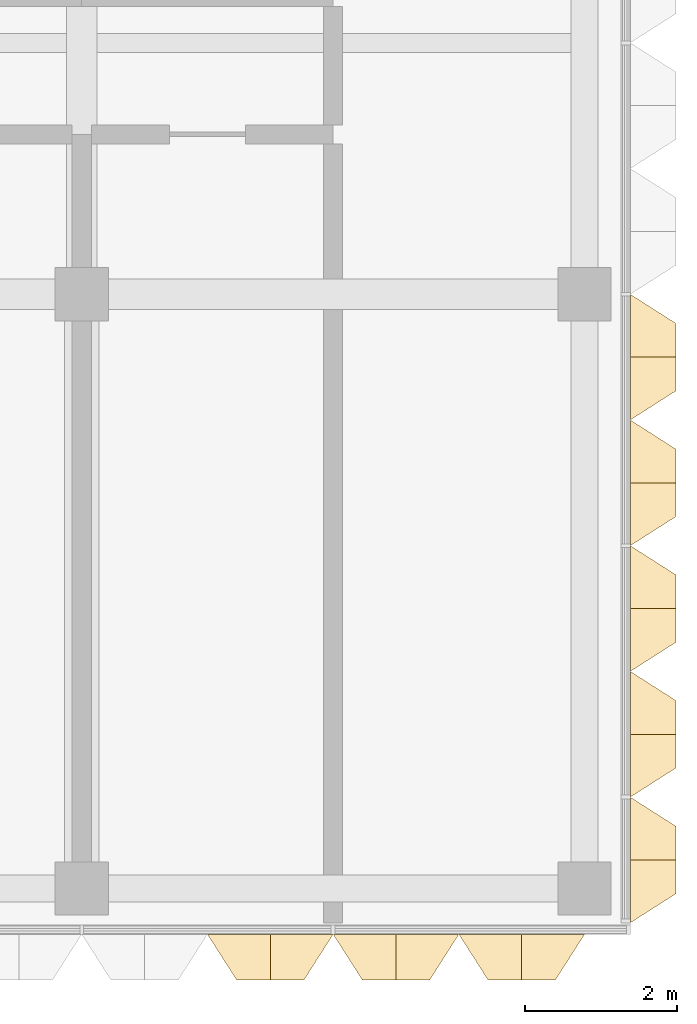
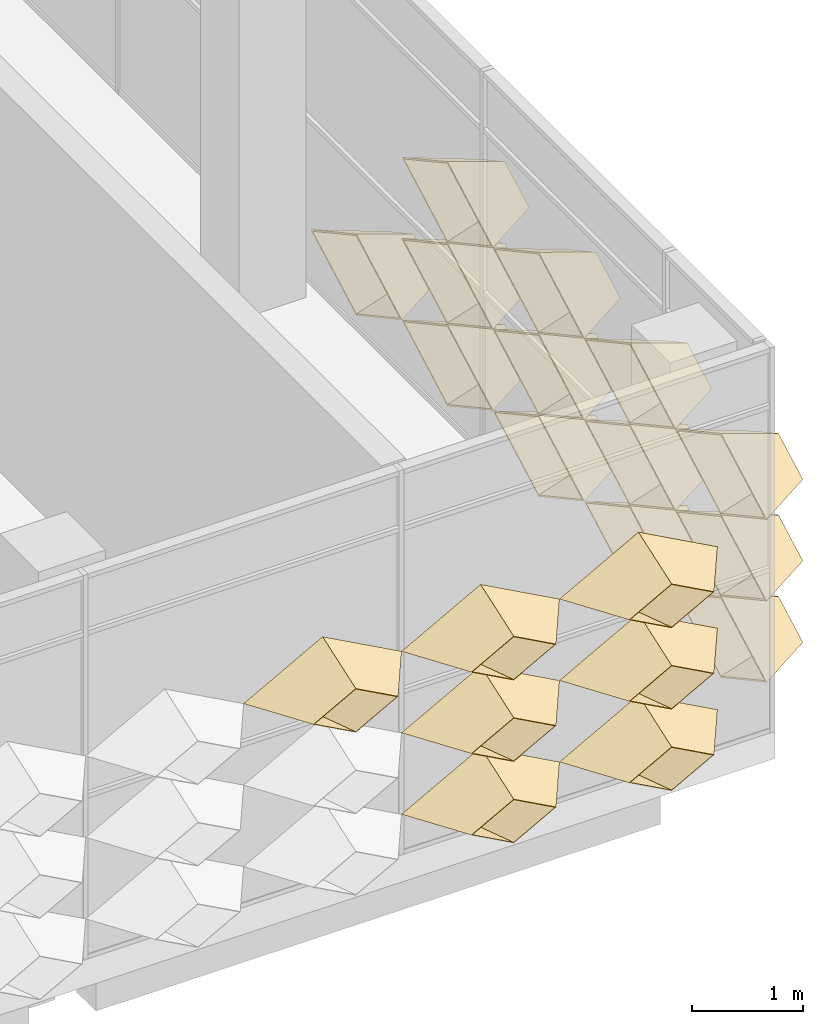
# One storey, part 14 of 21: 20 coverings.
"""IFC4 building model written with IfcOpenShell, lengths in metres."""

from ifc_helpers import new_model, entity, si_unit, direction, frame, origin, place, context, subcontext, project, spatial, material, layer, layer_set, type_object, element, save


model = new_model("IFC4")

# Units and contexts
model_context = context("Model", 3, precision=1e-05, world=origin(), true_north=direction((0.0, 1.0)))
body_context = subcontext(model_context, "Body", "Model", "MODEL_VIEW")
ifc_project = project(units=[si_unit("LENGTHUNIT", "METRE"), si_unit("AREAUNIT", "SQUARE_METRE"), si_unit("VOLUMEUNIT", "CUBIC_METRE"), si_unit("PLANEANGLEUNIT", "RADIAN"), si_unit("MASSUNIT", "GRAM", prefix="KILO")], contexts=[model_context])

# Site, building, storey
site_placement = place(None, origin())
site = spatial("IfcSite", under=ifc_project, at=site_placement, CompositionType="ELEMENT")
building_placement = place(site_placement, origin())
building = spatial("IfcBuilding", under=site, at=building_placement, Name="Lantern Court Research Institute", CompositionType="ELEMENT")
storey_placement = place(building_placement, frame((0.0, 0.0, 41.39990234375)))
storey = spatial("IfcBuildingStorey", under=building, at=storey_placement, Name="L09", CompositionType="ELEMENT", Elevation=41.39990234375)

# Coverings
ifc_material = material(Name="Anodised aluminium", Category="aluminium")
ifc_layer = layer(ifc_material, 0.01611328125)
ifc_layer_set = layer_set([ifc_layer], Name="Anodised aluminium")
covering_type = type_object("IfcCoveringType", Name="Fin cassette 1650 x 900 x 600 aluminium", PredefinedType="CLADDING", material=ifc_layer_set)
covering_1_placement = place(storey_placement, frame((79.800048828125, -7.425048828125, 0.4501953125), z_axis=(1.0, 0.0, 0.0), x_axis=(0.0, 1.0, 0.0)))
cartesian_point_1 = entity("IfcCartesianPoint", [0.824951171875, 0.0])
cartesian_point_2 = entity("IfcCartesianPoint", [0.79150390625, 0.0])
cartesian_point_3 = entity("IfcCartesianPoint", [0.44189453125, 0.0])
cartesian_point_4 = entity("IfcCartesianPoint", [0.43359375, 0.0])
element("IfcCovering", 1, at=covering_1_placement, inside=storey, type_object=covering_type, Name="Fin cassette V5E-L09 1.-4", PredefinedType="CLADDING", context=body_context, shape_type="SweptSolid", body=[
    entity("IfcExtrudedAreaSolidTapered", entity("IfcArbitraryProfileDefWithVoids", "AREA", None, entity("IfcPolyline", [cartesian_point_1, entity("IfcCartesianPoint", [0.0, 0.449951171875]), entity("IfcCartesianPoint", [-0.824951171875, 0.0]), entity("IfcCartesianPoint", [0.0, -0.449951171875]), cartesian_point_1]), [entity("IfcPolyline", [cartesian_point_2, entity("IfcCartesianPoint", [0.0, 0.431884765625]), entity("IfcCartesianPoint", [-0.79150390625, 0.0]), entity("IfcCartesianPoint", [0.0, -0.431884765625]), cartesian_point_2])]), entity("IfcAxis2Placement3D", entity("IfcCartesianPoint", [0.0, 0.0, 0.0])), entity("IfcDirection", [0.0, 0.0, 1.0]), 0.60009765625, entity("IfcArbitraryProfileDefWithVoids", "AREA", None, entity("IfcPolyline", [cartesian_point_3, entity("IfcCartesianPoint", [0.0, 0.240966796875]), entity("IfcCartesianPoint", [-0.44189453125, 0.0]), entity("IfcCartesianPoint", [0.0, -0.240966796875]), cartesian_point_3]), [entity("IfcPolyline", [cartesian_point_4, entity("IfcCartesianPoint", [0.0, 0.236572265625]), entity("IfcCartesianPoint", [-0.43359375, 0.0]), entity("IfcCartesianPoint", [0.0, -0.236572265625]), cartesian_point_4])])),
])
covering_2_placement = place(storey_placement, frame((79.800048828125, -5.77490234375, 0.4501953125), z_axis=(1.0, 0.0, 0.0), x_axis=(0.0, 1.0, 0.0)))
cartesian_point_5 = entity("IfcCartesianPoint", [0.824951171875, 0.0])
cartesian_point_6 = entity("IfcCartesianPoint", [0.79150390625, 0.0])
cartesian_point_7 = entity("IfcCartesianPoint", [0.44189453125, 0.0])
cartesian_point_8 = entity("IfcCartesianPoint", [0.43359375, 0.0])
element("IfcCovering", 2, at=covering_2_placement, inside=storey, type_object=covering_type, Name="Fin cassette V5E-L09 1.-3", PredefinedType="CLADDING", context=body_context, shape_type="SweptSolid", body=[
    entity("IfcExtrudedAreaSolidTapered", entity("IfcArbitraryProfileDefWithVoids", "AREA", None, entity("IfcPolyline", [cartesian_point_5, entity("IfcCartesianPoint", [0.0, 0.449951171875]), entity("IfcCartesianPoint", [-0.824951171875, 0.0]), entity("IfcCartesianPoint", [0.0, -0.449951171875]), cartesian_point_5]), [entity("IfcPolyline", [cartesian_point_6, entity("IfcCartesianPoint", [0.0, 0.431884765625]), entity("IfcCartesianPoint", [-0.79150390625, 0.0]), entity("IfcCartesianPoint", [0.0, -0.431884765625]), cartesian_point_6])]), entity("IfcAxis2Placement3D", entity("IfcCartesianPoint", [0.0, 0.0, 0.0])), entity("IfcDirection", [0.0, 0.0, 1.0]), 0.60009765625, entity("IfcArbitraryProfileDefWithVoids", "AREA", None, entity("IfcPolyline", [cartesian_point_7, entity("IfcCartesianPoint", [0.0, 0.240966796875]), entity("IfcCartesianPoint", [-0.44189453125, 0.0]), entity("IfcCartesianPoint", [0.0, -0.240966796875]), cartesian_point_7]), [entity("IfcPolyline", [cartesian_point_8, entity("IfcCartesianPoint", [0.0, 0.236572265625]), entity("IfcCartesianPoint", [-0.43359375, 0.0]), entity("IfcCartesianPoint", [0.0, -0.236572265625]), cartesian_point_8])])),
])
covering_3_placement = place(storey_placement, frame((79.800048828125, -4.125, 0.4501953125), z_axis=(1.0, 0.0, 0.0), x_axis=(0.0, 1.0, 0.0)))
cartesian_point_9 = entity("IfcCartesianPoint", [0.824951171875, 0.0])
cartesian_point_10 = entity("IfcCartesianPoint", [0.79150390625, 0.0])
cartesian_point_11 = entity("IfcCartesianPoint", [0.44189453125, 0.0])
cartesian_point_12 = entity("IfcCartesianPoint", [0.43359375, 0.0])
element("IfcCovering", 3, at=covering_3_placement, inside=storey, type_object=covering_type, Name="Fin cassette V5E-L09 1.-2", PredefinedType="CLADDING", context=body_context, shape_type="SweptSolid", body=[
    entity("IfcExtrudedAreaSolidTapered", entity("IfcArbitraryProfileDefWithVoids", "AREA", None, entity("IfcPolyline", [cartesian_point_9, entity("IfcCartesianPoint", [0.0, 0.449951171875]), entity("IfcCartesianPoint", [-0.824951171875, 0.0]), entity("IfcCartesianPoint", [0.0, -0.449951171875]), cartesian_point_9]), [entity("IfcPolyline", [cartesian_point_10, entity("IfcCartesianPoint", [0.0, 0.431884765625]), entity("IfcCartesianPoint", [-0.79150390625, 0.0]), entity("IfcCartesianPoint", [0.0, -0.431884765625]), cartesian_point_10])]), entity("IfcAxis2Placement3D", entity("IfcCartesianPoint", [0.0, 0.0, 0.0])), entity("IfcDirection", [0.0, 0.0, 1.0]), 0.60009765625, entity("IfcArbitraryProfileDefWithVoids", "AREA", None, entity("IfcPolyline", [cartesian_point_11, entity("IfcCartesianPoint", [0.0, 0.240966796875]), entity("IfcCartesianPoint", [-0.44189453125, 0.0]), entity("IfcCartesianPoint", [0.0, -0.240966796875]), cartesian_point_11]), [entity("IfcPolyline", [cartesian_point_12, entity("IfcCartesianPoint", [0.0, 0.236572265625]), entity("IfcCartesianPoint", [-0.43359375, 0.0]), entity("IfcCartesianPoint", [0.0, -0.236572265625]), cartesian_point_12])])),
])
covering_4_placement = place(storey_placement, frame((79.800048828125, -2.47509765625, 0.4501953125), z_axis=(1.0, 0.0, 0.0), x_axis=(0.0, 1.0, 0.0)))
cartesian_point_13 = entity("IfcCartesianPoint", [0.824951171875, 0.0])
cartesian_point_14 = entity("IfcCartesianPoint", [0.79150390625, 0.0])
cartesian_point_15 = entity("IfcCartesianPoint", [0.44189453125, 0.0])
cartesian_point_16 = entity("IfcCartesianPoint", [0.43359375, 0.0])
element("IfcCovering", 4, at=covering_4_placement, inside=storey, type_object=covering_type, Name="Fin cassette V5E-L09 1.-1", PredefinedType="CLADDING", context=body_context, shape_type="SweptSolid", body=[
    entity("IfcExtrudedAreaSolidTapered", entity("IfcArbitraryProfileDefWithVoids", "AREA", None, entity("IfcPolyline", [cartesian_point_13, entity("IfcCartesianPoint", [0.0, 0.449951171875]), entity("IfcCartesianPoint", [-0.824951171875, 0.0]), entity("IfcCartesianPoint", [0.0, -0.449951171875]), cartesian_point_13]), [entity("IfcPolyline", [cartesian_point_14, entity("IfcCartesianPoint", [0.0, 0.431884765625]), entity("IfcCartesianPoint", [-0.79150390625, 0.0]), entity("IfcCartesianPoint", [0.0, -0.431884765625]), cartesian_point_14])]), entity("IfcAxis2Placement3D", entity("IfcCartesianPoint", [0.0, 0.0, 0.0])), entity("IfcDirection", [0.0, 0.0, 1.0]), 0.60009765625, entity("IfcArbitraryProfileDefWithVoids", "AREA", None, entity("IfcPolyline", [cartesian_point_15, entity("IfcCartesianPoint", [0.0, 0.240966796875]), entity("IfcCartesianPoint", [-0.44189453125, 0.0]), entity("IfcCartesianPoint", [0.0, -0.240966796875]), cartesian_point_15]), [entity("IfcPolyline", [cartesian_point_16, entity("IfcCartesianPoint", [0.0, 0.236572265625]), entity("IfcCartesianPoint", [-0.43359375, 0.0]), entity("IfcCartesianPoint", [0.0, -0.236572265625]), cartesian_point_16])])),
])
covering_5_placement = place(storey_placement, frame((79.800048828125, -0.824951171875, 0.4501953125), z_axis=(1.0, 0.0, 0.0), x_axis=(0.0, 1.0, 0.0)))
cartesian_point_17 = entity("IfcCartesianPoint", [0.824951171875, 0.0])
cartesian_point_18 = entity("IfcCartesianPoint", [0.79150390625, 0.0])
cartesian_point_19 = entity("IfcCartesianPoint", [0.44189453125, 0.0])
cartesian_point_20 = entity("IfcCartesianPoint", [0.43359375, 0.0])
element("IfcCovering", 5, at=covering_5_placement, inside=storey, type_object=covering_type, Name="Fin cassette V5E-L09 1.0", PredefinedType="CLADDING", context=body_context, shape_type="SweptSolid", body=[
    entity("IfcExtrudedAreaSolidTapered", entity("IfcArbitraryProfileDefWithVoids", "AREA", None, entity("IfcPolyline", [cartesian_point_17, entity("IfcCartesianPoint", [0.0, 0.449951171875]), entity("IfcCartesianPoint", [-0.824951171875, 0.0]), entity("IfcCartesianPoint", [0.0, -0.449951171875]), cartesian_point_17]), [entity("IfcPolyline", [cartesian_point_18, entity("IfcCartesianPoint", [0.0, 0.431884765625]), entity("IfcCartesianPoint", [-0.79150390625, 0.0]), entity("IfcCartesianPoint", [0.0, -0.431884765625]), cartesian_point_18])]), entity("IfcAxis2Placement3D", entity("IfcCartesianPoint", [0.0, 0.0, 0.0])), entity("IfcDirection", [0.0, 0.0, 1.0]), 0.60009765625, entity("IfcArbitraryProfileDefWithVoids", "AREA", None, entity("IfcPolyline", [cartesian_point_19, entity("IfcCartesianPoint", [0.0, 0.240966796875]), entity("IfcCartesianPoint", [-0.44189453125, 0.0]), entity("IfcCartesianPoint", [0.0, -0.240966796875]), cartesian_point_19]), [entity("IfcPolyline", [cartesian_point_20, entity("IfcCartesianPoint", [0.0, 0.236572265625]), entity("IfcCartesianPoint", [-0.43359375, 0.0]), entity("IfcCartesianPoint", [0.0, -0.236572265625]), cartesian_point_20])])),
])
covering_6_placement = place(storey_placement, frame((79.800048828125, -7.425048828125, 1.35009765625), z_axis=(1.0, 0.0, 0.0), x_axis=(0.0, 1.0, 0.0)))
cartesian_point_21 = entity("IfcCartesianPoint", [0.824951171875, 0.0])
cartesian_point_22 = entity("IfcCartesianPoint", [0.79150390625, 0.0])
cartesian_point_23 = entity("IfcCartesianPoint", [0.44189453125, 0.0])
cartesian_point_24 = entity("IfcCartesianPoint", [0.43359375, 0.0])
element("IfcCovering", 6, at=covering_6_placement, inside=storey, type_object=covering_type, Name="Fin cassette V5E-L09 2.-4", PredefinedType="CLADDING", context=body_context, shape_type="SweptSolid", body=[
    entity("IfcExtrudedAreaSolidTapered", entity("IfcArbitraryProfileDefWithVoids", "AREA", None, entity("IfcPolyline", [cartesian_point_21, entity("IfcCartesianPoint", [0.0, 0.449951171875]), entity("IfcCartesianPoint", [-0.824951171875, 0.0]), entity("IfcCartesianPoint", [0.0, -0.449951171875]), cartesian_point_21]), [entity("IfcPolyline", [cartesian_point_22, entity("IfcCartesianPoint", [0.0, 0.431884765625]), entity("IfcCartesianPoint", [-0.79150390625, 0.0]), entity("IfcCartesianPoint", [0.0, -0.431884765625]), cartesian_point_22])]), entity("IfcAxis2Placement3D", entity("IfcCartesianPoint", [0.0, 0.0, 0.0])), entity("IfcDirection", [0.0, 0.0, 1.0]), 0.60009765625, entity("IfcArbitraryProfileDefWithVoids", "AREA", None, entity("IfcPolyline", [cartesian_point_23, entity("IfcCartesianPoint", [0.0, 0.240966796875]), entity("IfcCartesianPoint", [-0.44189453125, 0.0]), entity("IfcCartesianPoint", [0.0, -0.240966796875]), cartesian_point_23]), [entity("IfcPolyline", [cartesian_point_24, entity("IfcCartesianPoint", [0.0, 0.236572265625]), entity("IfcCartesianPoint", [-0.43359375, 0.0]), entity("IfcCartesianPoint", [0.0, -0.236572265625]), cartesian_point_24])])),
])
covering_7_placement = place(storey_placement, frame((79.800048828125, -5.77490234375, 1.35009765625), z_axis=(1.0, 0.0, 0.0), x_axis=(0.0, 1.0, 0.0)))
cartesian_point_25 = entity("IfcCartesianPoint", [0.824951171875, 0.0])
cartesian_point_26 = entity("IfcCartesianPoint", [0.79150390625, 0.0])
cartesian_point_27 = entity("IfcCartesianPoint", [0.44189453125, 0.0])
cartesian_point_28 = entity("IfcCartesianPoint", [0.43359375, 0.0])
element("IfcCovering", 7, at=covering_7_placement, inside=storey, type_object=covering_type, Name="Fin cassette V5E-L09 2.-3", PredefinedType="CLADDING", context=body_context, shape_type="SweptSolid", body=[
    entity("IfcExtrudedAreaSolidTapered", entity("IfcArbitraryProfileDefWithVoids", "AREA", None, entity("IfcPolyline", [cartesian_point_25, entity("IfcCartesianPoint", [0.0, 0.449951171875]), entity("IfcCartesianPoint", [-0.824951171875, 0.0]), entity("IfcCartesianPoint", [0.0, -0.449951171875]), cartesian_point_25]), [entity("IfcPolyline", [cartesian_point_26, entity("IfcCartesianPoint", [0.0, 0.431884765625]), entity("IfcCartesianPoint", [-0.79150390625, 0.0]), entity("IfcCartesianPoint", [0.0, -0.431884765625]), cartesian_point_26])]), entity("IfcAxis2Placement3D", entity("IfcCartesianPoint", [0.0, 0.0, 0.0])), entity("IfcDirection", [0.0, 0.0, 1.0]), 0.60009765625, entity("IfcArbitraryProfileDefWithVoids", "AREA", None, entity("IfcPolyline", [cartesian_point_27, entity("IfcCartesianPoint", [0.0, 0.240966796875]), entity("IfcCartesianPoint", [-0.44189453125, 0.0]), entity("IfcCartesianPoint", [0.0, -0.240966796875]), cartesian_point_27]), [entity("IfcPolyline", [cartesian_point_28, entity("IfcCartesianPoint", [0.0, 0.236572265625]), entity("IfcCartesianPoint", [-0.43359375, 0.0]), entity("IfcCartesianPoint", [0.0, -0.236572265625]), cartesian_point_28])])),
])
covering_8_placement = place(storey_placement, frame((79.800048828125, -4.125, 1.35009765625), z_axis=(1.0, 0.0, 0.0), x_axis=(0.0, 1.0, 0.0)))
cartesian_point_29 = entity("IfcCartesianPoint", [0.824951171875, 0.0])
cartesian_point_30 = entity("IfcCartesianPoint", [0.79150390625, 0.0])
cartesian_point_31 = entity("IfcCartesianPoint", [0.44189453125, 0.0])
cartesian_point_32 = entity("IfcCartesianPoint", [0.43359375, 0.0])
element("IfcCovering", 8, at=covering_8_placement, inside=storey, type_object=covering_type, Name="Fin cassette V5E-L09 2.-2", PredefinedType="CLADDING", context=body_context, shape_type="SweptSolid", body=[
    entity("IfcExtrudedAreaSolidTapered", entity("IfcArbitraryProfileDefWithVoids", "AREA", None, entity("IfcPolyline", [cartesian_point_29, entity("IfcCartesianPoint", [0.0, 0.449951171875]), entity("IfcCartesianPoint", [-0.824951171875, 0.0]), entity("IfcCartesianPoint", [0.0, -0.449951171875]), cartesian_point_29]), [entity("IfcPolyline", [cartesian_point_30, entity("IfcCartesianPoint", [0.0, 0.431884765625]), entity("IfcCartesianPoint", [-0.79150390625, 0.0]), entity("IfcCartesianPoint", [0.0, -0.431884765625]), cartesian_point_30])]), entity("IfcAxis2Placement3D", entity("IfcCartesianPoint", [0.0, 0.0, 0.0])), entity("IfcDirection", [0.0, 0.0, 1.0]), 0.60009765625, entity("IfcArbitraryProfileDefWithVoids", "AREA", None, entity("IfcPolyline", [cartesian_point_31, entity("IfcCartesianPoint", [0.0, 0.240966796875]), entity("IfcCartesianPoint", [-0.44189453125, 0.0]), entity("IfcCartesianPoint", [0.0, -0.240966796875]), cartesian_point_31]), [entity("IfcPolyline", [cartesian_point_32, entity("IfcCartesianPoint", [0.0, 0.236572265625]), entity("IfcCartesianPoint", [-0.43359375, 0.0]), entity("IfcCartesianPoint", [0.0, -0.236572265625]), cartesian_point_32])])),
])
covering_9_placement = place(storey_placement, frame((79.800048828125, -2.47509765625, 1.35009765625), z_axis=(1.0, 0.0, 0.0), x_axis=(0.0, 1.0, 0.0)))
cartesian_point_33 = entity("IfcCartesianPoint", [0.824951171875, 0.0])
cartesian_point_34 = entity("IfcCartesianPoint", [0.79150390625, 0.0])
cartesian_point_35 = entity("IfcCartesianPoint", [0.44189453125, 0.0])
cartesian_point_36 = entity("IfcCartesianPoint", [0.43359375, 0.0])
element("IfcCovering", 9, at=covering_9_placement, inside=storey, type_object=covering_type, Name="Fin cassette V5E-L09 2.-1", PredefinedType="CLADDING", context=body_context, shape_type="SweptSolid", body=[
    entity("IfcExtrudedAreaSolidTapered", entity("IfcArbitraryProfileDefWithVoids", "AREA", None, entity("IfcPolyline", [cartesian_point_33, entity("IfcCartesianPoint", [0.0, 0.449951171875]), entity("IfcCartesianPoint", [-0.824951171875, 0.0]), entity("IfcCartesianPoint", [0.0, -0.449951171875]), cartesian_point_33]), [entity("IfcPolyline", [cartesian_point_34, entity("IfcCartesianPoint", [0.0, 0.431884765625]), entity("IfcCartesianPoint", [-0.79150390625, 0.0]), entity("IfcCartesianPoint", [0.0, -0.431884765625]), cartesian_point_34])]), entity("IfcAxis2Placement3D", entity("IfcCartesianPoint", [0.0, 0.0, 0.0])), entity("IfcDirection", [0.0, 0.0, 1.0]), 0.60009765625, entity("IfcArbitraryProfileDefWithVoids", "AREA", None, entity("IfcPolyline", [cartesian_point_35, entity("IfcCartesianPoint", [0.0, 0.240966796875]), entity("IfcCartesianPoint", [-0.44189453125, 0.0]), entity("IfcCartesianPoint", [0.0, -0.240966796875]), cartesian_point_35]), [entity("IfcPolyline", [cartesian_point_36, entity("IfcCartesianPoint", [0.0, 0.236572265625]), entity("IfcCartesianPoint", [-0.43359375, 0.0]), entity("IfcCartesianPoint", [0.0, -0.236572265625]), cartesian_point_36])])),
])
covering_10_placement = place(storey_placement, frame((79.800048828125, -7.425048828125, 2.25), z_axis=(1.0, 0.0, 0.0), x_axis=(0.0, 1.0, 0.0)))
cartesian_point_37 = entity("IfcCartesianPoint", [0.824951171875, 0.0])
cartesian_point_38 = entity("IfcCartesianPoint", [0.79150390625, 0.0])
cartesian_point_39 = entity("IfcCartesianPoint", [0.44189453125, 0.0])
cartesian_point_40 = entity("IfcCartesianPoint", [0.43359375, 0.0])
element("IfcCovering", 10, at=covering_10_placement, inside=storey, type_object=covering_type, Name="Fin cassette V5E-L09 3.-4", PredefinedType="CLADDING", context=body_context, shape_type="SweptSolid", body=[
    entity("IfcExtrudedAreaSolidTapered", entity("IfcArbitraryProfileDefWithVoids", "AREA", None, entity("IfcPolyline", [cartesian_point_37, entity("IfcCartesianPoint", [0.0, 0.449951171875]), entity("IfcCartesianPoint", [-0.824951171875, 0.0]), entity("IfcCartesianPoint", [0.0, -0.449951171875]), cartesian_point_37]), [entity("IfcPolyline", [cartesian_point_38, entity("IfcCartesianPoint", [0.0, 0.431884765625]), entity("IfcCartesianPoint", [-0.79150390625, 0.0]), entity("IfcCartesianPoint", [0.0, -0.431884765625]), cartesian_point_38])]), entity("IfcAxis2Placement3D", entity("IfcCartesianPoint", [0.0, 0.0, 0.0])), entity("IfcDirection", [0.0, 0.0, 1.0]), 0.60009765625, entity("IfcArbitraryProfileDefWithVoids", "AREA", None, entity("IfcPolyline", [cartesian_point_39, entity("IfcCartesianPoint", [0.0, 0.240966796875]), entity("IfcCartesianPoint", [-0.44189453125, 0.0]), entity("IfcCartesianPoint", [0.0, -0.240966796875]), cartesian_point_39]), [entity("IfcPolyline", [cartesian_point_40, entity("IfcCartesianPoint", [0.0, 0.236572265625]), entity("IfcCartesianPoint", [-0.43359375, 0.0]), entity("IfcCartesianPoint", [0.0, -0.236572265625]), cartesian_point_40])])),
])
covering_11_placement = place(storey_placement, frame((79.800048828125, -5.77490234375, 2.25), z_axis=(1.0, 0.0, 0.0), x_axis=(0.0, 1.0, 0.0)))
cartesian_point_41 = entity("IfcCartesianPoint", [0.824951171875, 0.0])
cartesian_point_42 = entity("IfcCartesianPoint", [0.79150390625, 0.0])
cartesian_point_43 = entity("IfcCartesianPoint", [0.44189453125, 0.0])
cartesian_point_44 = entity("IfcCartesianPoint", [0.43359375, 0.0])
element("IfcCovering", 11, at=covering_11_placement, inside=storey, type_object=covering_type, Name="Fin cassette V5E-L09 3.-3", PredefinedType="CLADDING", context=body_context, shape_type="SweptSolid", body=[
    entity("IfcExtrudedAreaSolidTapered", entity("IfcArbitraryProfileDefWithVoids", "AREA", None, entity("IfcPolyline", [cartesian_point_41, entity("IfcCartesianPoint", [0.0, 0.449951171875]), entity("IfcCartesianPoint", [-0.824951171875, 0.0]), entity("IfcCartesianPoint", [0.0, -0.449951171875]), cartesian_point_41]), [entity("IfcPolyline", [cartesian_point_42, entity("IfcCartesianPoint", [0.0, 0.431884765625]), entity("IfcCartesianPoint", [-0.79150390625, 0.0]), entity("IfcCartesianPoint", [0.0, -0.431884765625]), cartesian_point_42])]), entity("IfcAxis2Placement3D", entity("IfcCartesianPoint", [0.0, 0.0, 0.0])), entity("IfcDirection", [0.0, 0.0, 1.0]), 0.60009765625, entity("IfcArbitraryProfileDefWithVoids", "AREA", None, entity("IfcPolyline", [cartesian_point_43, entity("IfcCartesianPoint", [0.0, 0.240966796875]), entity("IfcCartesianPoint", [-0.44189453125, 0.0]), entity("IfcCartesianPoint", [0.0, -0.240966796875]), cartesian_point_43]), [entity("IfcPolyline", [cartesian_point_44, entity("IfcCartesianPoint", [0.0, 0.236572265625]), entity("IfcCartesianPoint", [-0.43359375, 0.0]), entity("IfcCartesianPoint", [0.0, -0.236572265625]), cartesian_point_44])])),
])
covering_12_placement = place(storey_placement, frame((79.800048828125, -4.125, 2.25), z_axis=(1.0, 0.0, 0.0), x_axis=(0.0, 1.0, 0.0)))
cartesian_point_45 = entity("IfcCartesianPoint", [0.824951171875, 0.0])
cartesian_point_46 = entity("IfcCartesianPoint", [0.79150390625, 0.0])
cartesian_point_47 = entity("IfcCartesianPoint", [0.44189453125, 0.0])
cartesian_point_48 = entity("IfcCartesianPoint", [0.43359375, 0.0])
element("IfcCovering", 12, at=covering_12_placement, inside=storey, type_object=covering_type, Name="Fin cassette V5E-L09 3.-2", PredefinedType="CLADDING", context=body_context, shape_type="SweptSolid", body=[
    entity("IfcExtrudedAreaSolidTapered", entity("IfcArbitraryProfileDefWithVoids", "AREA", None, entity("IfcPolyline", [cartesian_point_45, entity("IfcCartesianPoint", [0.0, 0.449951171875]), entity("IfcCartesianPoint", [-0.824951171875, 0.0]), entity("IfcCartesianPoint", [0.0, -0.449951171875]), cartesian_point_45]), [entity("IfcPolyline", [cartesian_point_46, entity("IfcCartesianPoint", [0.0, 0.431884765625]), entity("IfcCartesianPoint", [-0.79150390625, 0.0]), entity("IfcCartesianPoint", [0.0, -0.431884765625]), cartesian_point_46])]), entity("IfcAxis2Placement3D", entity("IfcCartesianPoint", [0.0, 0.0, 0.0])), entity("IfcDirection", [0.0, 0.0, 1.0]), 0.60009765625, entity("IfcArbitraryProfileDefWithVoids", "AREA", None, entity("IfcPolyline", [cartesian_point_47, entity("IfcCartesianPoint", [0.0, 0.240966796875]), entity("IfcCartesianPoint", [-0.44189453125, 0.0]), entity("IfcCartesianPoint", [0.0, -0.240966796875]), cartesian_point_47]), [entity("IfcPolyline", [cartesian_point_48, entity("IfcCartesianPoint", [0.0, 0.236572265625]), entity("IfcCartesianPoint", [-0.43359375, 0.0]), entity("IfcCartesianPoint", [0.0, -0.236572265625]), cartesian_point_48])])),
])
covering_13_placement = place(storey_placement, frame((79.800048828125, -2.47509765625, 2.25), z_axis=(1.0, 0.0, 0.0), x_axis=(0.0, 1.0, 0.0)))
cartesian_point_49 = entity("IfcCartesianPoint", [0.824951171875, 0.0])
cartesian_point_50 = entity("IfcCartesianPoint", [0.79150390625, 0.0])
cartesian_point_51 = entity("IfcCartesianPoint", [0.44189453125, 0.0])
cartesian_point_52 = entity("IfcCartesianPoint", [0.43359375, 0.0])
element("IfcCovering", 13, at=covering_13_placement, inside=storey, type_object=covering_type, Name="Fin cassette V5E-L09 3.-1", PredefinedType="CLADDING", context=body_context, shape_type="SweptSolid", body=[
    entity("IfcExtrudedAreaSolidTapered", entity("IfcArbitraryProfileDefWithVoids", "AREA", None, entity("IfcPolyline", [cartesian_point_49, entity("IfcCartesianPoint", [0.0, 0.449951171875]), entity("IfcCartesianPoint", [-0.824951171875, 0.0]), entity("IfcCartesianPoint", [0.0, -0.449951171875]), cartesian_point_49]), [entity("IfcPolyline", [cartesian_point_50, entity("IfcCartesianPoint", [0.0, 0.431884765625]), entity("IfcCartesianPoint", [-0.79150390625, 0.0]), entity("IfcCartesianPoint", [0.0, -0.431884765625]), cartesian_point_50])]), entity("IfcAxis2Placement3D", entity("IfcCartesianPoint", [0.0, 0.0, 0.0])), entity("IfcDirection", [0.0, 0.0, 1.0]), 0.60009765625, entity("IfcArbitraryProfileDefWithVoids", "AREA", None, entity("IfcPolyline", [cartesian_point_51, entity("IfcCartesianPoint", [0.0, 0.240966796875]), entity("IfcCartesianPoint", [-0.44189453125, 0.0]), entity("IfcCartesianPoint", [0.0, -0.240966796875]), cartesian_point_51]), [entity("IfcPolyline", [cartesian_point_52, entity("IfcCartesianPoint", [0.0, 0.236572265625]), entity("IfcCartesianPoint", [-0.43359375, 0.0]), entity("IfcCartesianPoint", [0.0, -0.236572265625]), cartesian_point_52])])),
])
covering_14_placement = place(storey_placement, frame((76.72509765625, -8.39990234375, 0.4501953125), z_axis=(0.0, -1.0, 0.0), x_axis=(1.0, 0.0, 0.0)))
cartesian_point_53 = entity("IfcCartesianPoint", [0.824951171875, 0.0])
cartesian_point_54 = entity("IfcCartesianPoint", [0.79150390625, 0.0])
cartesian_point_55 = entity("IfcCartesianPoint", [0.44189453125, 0.0])
cartesian_point_56 = entity("IfcCartesianPoint", [0.43359375, 0.0])
element("IfcCovering", 14, at=covering_14_placement, inside=storey, type_object=covering_type, Name="Fin cassette V5S-L09 1.47", PredefinedType="CLADDING", context=body_context, shape_type="SweptSolid", body=[
    entity("IfcExtrudedAreaSolidTapered", entity("IfcArbitraryProfileDefWithVoids", "AREA", None, entity("IfcPolyline", [cartesian_point_53, entity("IfcCartesianPoint", [0.0, 0.449951171875]), entity("IfcCartesianPoint", [-0.824951171875, 0.0]), entity("IfcCartesianPoint", [0.0, -0.449951171875]), cartesian_point_53]), [entity("IfcPolyline", [cartesian_point_54, entity("IfcCartesianPoint", [0.0, 0.431884765625]), entity("IfcCartesianPoint", [-0.79150390625, 0.0]), entity("IfcCartesianPoint", [0.0, -0.431884765625]), cartesian_point_54])]), entity("IfcAxis2Placement3D", entity("IfcCartesianPoint", [0.0, 0.0, 0.0])), entity("IfcDirection", [0.0, 0.0, 1.0]), 0.60009765625, entity("IfcArbitraryProfileDefWithVoids", "AREA", None, entity("IfcPolyline", [cartesian_point_55, entity("IfcCartesianPoint", [0.0, 0.240966796875]), entity("IfcCartesianPoint", [-0.44189453125, 0.0]), entity("IfcCartesianPoint", [0.0, -0.240966796875]), cartesian_point_55]), [entity("IfcPolyline", [cartesian_point_56, entity("IfcCartesianPoint", [0.0, 0.236572265625]), entity("IfcCartesianPoint", [-0.43359375, 0.0]), entity("IfcCartesianPoint", [0.0, -0.236572265625]), cartesian_point_56])])),
])
covering_15_placement = place(storey_placement, frame((78.375, -8.39990234375, 0.4501953125), z_axis=(0.0, -1.0, 0.0), x_axis=(1.0, 0.0, 0.0)))
cartesian_point_57 = entity("IfcCartesianPoint", [0.824951171875, 0.0])
cartesian_point_58 = entity("IfcCartesianPoint", [0.79150390625, 0.0])
cartesian_point_59 = entity("IfcCartesianPoint", [0.44189453125, 0.0])
cartesian_point_60 = entity("IfcCartesianPoint", [0.43359375, 0.0])
element("IfcCovering", 15, at=covering_15_placement, inside=storey, type_object=covering_type, Name="Fin cassette V5S-L09 1.48", PredefinedType="CLADDING", context=body_context, shape_type="SweptSolid", body=[
    entity("IfcExtrudedAreaSolidTapered", entity("IfcArbitraryProfileDefWithVoids", "AREA", None, entity("IfcPolyline", [cartesian_point_57, entity("IfcCartesianPoint", [0.0, 0.449951171875]), entity("IfcCartesianPoint", [-0.824951171875, 0.0]), entity("IfcCartesianPoint", [0.0, -0.449951171875]), cartesian_point_57]), [entity("IfcPolyline", [cartesian_point_58, entity("IfcCartesianPoint", [0.0, 0.431884765625]), entity("IfcCartesianPoint", [-0.79150390625, 0.0]), entity("IfcCartesianPoint", [0.0, -0.431884765625]), cartesian_point_58])]), entity("IfcAxis2Placement3D", entity("IfcCartesianPoint", [0.0, 0.0, 0.0])), entity("IfcDirection", [0.0, 0.0, 1.0]), 0.60009765625, entity("IfcArbitraryProfileDefWithVoids", "AREA", None, entity("IfcPolyline", [cartesian_point_59, entity("IfcCartesianPoint", [0.0, 0.240966796875]), entity("IfcCartesianPoint", [-0.44189453125, 0.0]), entity("IfcCartesianPoint", [0.0, -0.240966796875]), cartesian_point_59]), [entity("IfcPolyline", [cartesian_point_60, entity("IfcCartesianPoint", [0.0, 0.236572265625]), entity("IfcCartesianPoint", [-0.43359375, 0.0]), entity("IfcCartesianPoint", [0.0, -0.236572265625]), cartesian_point_60])])),
])
covering_16_placement = place(storey_placement, frame((76.72509765625, -8.39990234375, 1.35009765625), z_axis=(0.0, -1.0, 0.0), x_axis=(1.0, 0.0, 0.0)))
cartesian_point_61 = entity("IfcCartesianPoint", [0.824951171875, 0.0])
cartesian_point_62 = entity("IfcCartesianPoint", [0.79150390625, 0.0])
cartesian_point_63 = entity("IfcCartesianPoint", [0.44189453125, 0.0])
cartesian_point_64 = entity("IfcCartesianPoint", [0.43359375, 0.0])
element("IfcCovering", 16, at=covering_16_placement, inside=storey, type_object=covering_type, Name="Fin cassette V5S-L09 2.47", PredefinedType="CLADDING", context=body_context, shape_type="SweptSolid", body=[
    entity("IfcExtrudedAreaSolidTapered", entity("IfcArbitraryProfileDefWithVoids", "AREA", None, entity("IfcPolyline", [cartesian_point_61, entity("IfcCartesianPoint", [0.0, 0.449951171875]), entity("IfcCartesianPoint", [-0.824951171875, 0.0]), entity("IfcCartesianPoint", [0.0, -0.449951171875]), cartesian_point_61]), [entity("IfcPolyline", [cartesian_point_62, entity("IfcCartesianPoint", [0.0, 0.431884765625]), entity("IfcCartesianPoint", [-0.79150390625, 0.0]), entity("IfcCartesianPoint", [0.0, -0.431884765625]), cartesian_point_62])]), entity("IfcAxis2Placement3D", entity("IfcCartesianPoint", [0.0, 0.0, 0.0])), entity("IfcDirection", [0.0, 0.0, 1.0]), 0.60009765625, entity("IfcArbitraryProfileDefWithVoids", "AREA", None, entity("IfcPolyline", [cartesian_point_63, entity("IfcCartesianPoint", [0.0, 0.240966796875]), entity("IfcCartesianPoint", [-0.44189453125, 0.0]), entity("IfcCartesianPoint", [0.0, -0.240966796875]), cartesian_point_63]), [entity("IfcPolyline", [cartesian_point_64, entity("IfcCartesianPoint", [0.0, 0.236572265625]), entity("IfcCartesianPoint", [-0.43359375, 0.0]), entity("IfcCartesianPoint", [0.0, -0.236572265625]), cartesian_point_64])])),
])
covering_17_placement = place(storey_placement, frame((78.375, -8.39990234375, 1.35009765625), z_axis=(0.0, -1.0, 0.0), x_axis=(1.0, 0.0, 0.0)))
cartesian_point_65 = entity("IfcCartesianPoint", [0.824951171875, 0.0])
cartesian_point_66 = entity("IfcCartesianPoint", [0.79150390625, 0.0])
cartesian_point_67 = entity("IfcCartesianPoint", [0.44189453125, 0.0])
cartesian_point_68 = entity("IfcCartesianPoint", [0.43359375, 0.0])
element("IfcCovering", 17, at=covering_17_placement, inside=storey, type_object=covering_type, Name="Fin cassette V5S-L09 2.48", PredefinedType="CLADDING", context=body_context, shape_type="SweptSolid", body=[
    entity("IfcExtrudedAreaSolidTapered", entity("IfcArbitraryProfileDefWithVoids", "AREA", None, entity("IfcPolyline", [cartesian_point_65, entity("IfcCartesianPoint", [0.0, 0.449951171875]), entity("IfcCartesianPoint", [-0.824951171875, 0.0]), entity("IfcCartesianPoint", [0.0, -0.449951171875]), cartesian_point_65]), [entity("IfcPolyline", [cartesian_point_66, entity("IfcCartesianPoint", [0.0, 0.431884765625]), entity("IfcCartesianPoint", [-0.79150390625, 0.0]), entity("IfcCartesianPoint", [0.0, -0.431884765625]), cartesian_point_66])]), entity("IfcAxis2Placement3D", entity("IfcCartesianPoint", [0.0, 0.0, 0.0])), entity("IfcDirection", [0.0, 0.0, 1.0]), 0.60009765625, entity("IfcArbitraryProfileDefWithVoids", "AREA", None, entity("IfcPolyline", [cartesian_point_67, entity("IfcCartesianPoint", [0.0, 0.240966796875]), entity("IfcCartesianPoint", [-0.44189453125, 0.0]), entity("IfcCartesianPoint", [0.0, -0.240966796875]), cartesian_point_67]), [entity("IfcPolyline", [cartesian_point_68, entity("IfcCartesianPoint", [0.0, 0.236572265625]), entity("IfcCartesianPoint", [-0.43359375, 0.0]), entity("IfcCartesianPoint", [0.0, -0.236572265625]), cartesian_point_68])])),
])
covering_18_placement = place(storey_placement, frame((75.074951171875, -8.39990234375, 2.25), z_axis=(0.0, -1.0, 0.0), x_axis=(1.0, 0.0, 0.0)))
cartesian_point_69 = entity("IfcCartesianPoint", [0.824951171875, 0.0])
cartesian_point_70 = entity("IfcCartesianPoint", [0.79150390625, 0.0])
cartesian_point_71 = entity("IfcCartesianPoint", [0.44189453125, 0.0])
cartesian_point_72 = entity("IfcCartesianPoint", [0.43359375, 0.0])
element("IfcCovering", 18, at=covering_18_placement, inside=storey, type_object=covering_type, Name="Fin cassette V5S-L09 3.46", PredefinedType="CLADDING", context=body_context, shape_type="SweptSolid", body=[
    entity("IfcExtrudedAreaSolidTapered", entity("IfcArbitraryProfileDefWithVoids", "AREA", None, entity("IfcPolyline", [cartesian_point_69, entity("IfcCartesianPoint", [0.0, 0.449951171875]), entity("IfcCartesianPoint", [-0.824951171875, 0.0]), entity("IfcCartesianPoint", [0.0, -0.449951171875]), cartesian_point_69]), [entity("IfcPolyline", [cartesian_point_70, entity("IfcCartesianPoint", [0.0, 0.431884765625]), entity("IfcCartesianPoint", [-0.79150390625, 0.0]), entity("IfcCartesianPoint", [0.0, -0.431884765625]), cartesian_point_70])]), entity("IfcAxis2Placement3D", entity("IfcCartesianPoint", [0.0, 0.0, 0.0])), entity("IfcDirection", [0.0, 0.0, 1.0]), 0.60009765625, entity("IfcArbitraryProfileDefWithVoids", "AREA", None, entity("IfcPolyline", [cartesian_point_71, entity("IfcCartesianPoint", [0.0, 0.240966796875]), entity("IfcCartesianPoint", [-0.44189453125, 0.0]), entity("IfcCartesianPoint", [0.0, -0.240966796875]), cartesian_point_71]), [entity("IfcPolyline", [cartesian_point_72, entity("IfcCartesianPoint", [0.0, 0.236572265625]), entity("IfcCartesianPoint", [-0.43359375, 0.0]), entity("IfcCartesianPoint", [0.0, -0.236572265625]), cartesian_point_72])])),
])
covering_19_placement = place(storey_placement, frame((76.72509765625, -8.39990234375, 2.25), z_axis=(0.0, -1.0, 0.0), x_axis=(1.0, 0.0, 0.0)))
cartesian_point_73 = entity("IfcCartesianPoint", [0.824951171875, 0.0])
cartesian_point_74 = entity("IfcCartesianPoint", [0.79150390625, 0.0])
cartesian_point_75 = entity("IfcCartesianPoint", [0.44189453125, 0.0])
cartesian_point_76 = entity("IfcCartesianPoint", [0.43359375, 0.0])
element("IfcCovering", 19, at=covering_19_placement, inside=storey, type_object=covering_type, Name="Fin cassette V5S-L09 3.47", PredefinedType="CLADDING", context=body_context, shape_type="SweptSolid", body=[
    entity("IfcExtrudedAreaSolidTapered", entity("IfcArbitraryProfileDefWithVoids", "AREA", None, entity("IfcPolyline", [cartesian_point_73, entity("IfcCartesianPoint", [0.0, 0.449951171875]), entity("IfcCartesianPoint", [-0.824951171875, 0.0]), entity("IfcCartesianPoint", [0.0, -0.449951171875]), cartesian_point_73]), [entity("IfcPolyline", [cartesian_point_74, entity("IfcCartesianPoint", [0.0, 0.431884765625]), entity("IfcCartesianPoint", [-0.79150390625, 0.0]), entity("IfcCartesianPoint", [0.0, -0.431884765625]), cartesian_point_74])]), entity("IfcAxis2Placement3D", entity("IfcCartesianPoint", [0.0, 0.0, 0.0])), entity("IfcDirection", [0.0, 0.0, 1.0]), 0.60009765625, entity("IfcArbitraryProfileDefWithVoids", "AREA", None, entity("IfcPolyline", [cartesian_point_75, entity("IfcCartesianPoint", [0.0, 0.240966796875]), entity("IfcCartesianPoint", [-0.44189453125, 0.0]), entity("IfcCartesianPoint", [0.0, -0.240966796875]), cartesian_point_75]), [entity("IfcPolyline", [cartesian_point_76, entity("IfcCartesianPoint", [0.0, 0.236572265625]), entity("IfcCartesianPoint", [-0.43359375, 0.0]), entity("IfcCartesianPoint", [0.0, -0.236572265625]), cartesian_point_76])])),
])
covering_20_placement = place(storey_placement, frame((78.375, -8.39990234375, 2.25), z_axis=(0.0, -1.0, 0.0), x_axis=(1.0, 0.0, 0.0)))
cartesian_point_77 = entity("IfcCartesianPoint", [0.824951171875, 0.0])
cartesian_point_78 = entity("IfcCartesianPoint", [0.79150390625, 0.0])
cartesian_point_79 = entity("IfcCartesianPoint", [0.44189453125, 0.0])
cartesian_point_80 = entity("IfcCartesianPoint", [0.43359375, 0.0])
element("IfcCovering", 20, at=covering_20_placement, inside=storey, type_object=covering_type, Name="Fin cassette V5S-L09 3.48", PredefinedType="CLADDING", context=body_context, shape_type="SweptSolid", body=[
    entity("IfcExtrudedAreaSolidTapered", entity("IfcArbitraryProfileDefWithVoids", "AREA", None, entity("IfcPolyline", [cartesian_point_77, entity("IfcCartesianPoint", [0.0, 0.449951171875]), entity("IfcCartesianPoint", [-0.824951171875, 0.0]), entity("IfcCartesianPoint", [0.0, -0.449951171875]), cartesian_point_77]), [entity("IfcPolyline", [cartesian_point_78, entity("IfcCartesianPoint", [0.0, 0.431884765625]), entity("IfcCartesianPoint", [-0.79150390625, 0.0]), entity("IfcCartesianPoint", [0.0, -0.431884765625]), cartesian_point_78])]), entity("IfcAxis2Placement3D", entity("IfcCartesianPoint", [0.0, 0.0, 0.0])), entity("IfcDirection", [0.0, 0.0, 1.0]), 0.60009765625, entity("IfcArbitraryProfileDefWithVoids", "AREA", None, entity("IfcPolyline", [cartesian_point_79, entity("IfcCartesianPoint", [0.0, 0.240966796875]), entity("IfcCartesianPoint", [-0.44189453125, 0.0]), entity("IfcCartesianPoint", [0.0, -0.240966796875]), cartesian_point_79]), [entity("IfcPolyline", [cartesian_point_80, entity("IfcCartesianPoint", [0.0, 0.236572265625]), entity("IfcCartesianPoint", [-0.43359375, 0.0]), entity("IfcCartesianPoint", [0.0, -0.236572265625]), cartesian_point_80])])),
])

save(model, "model.ifc")
